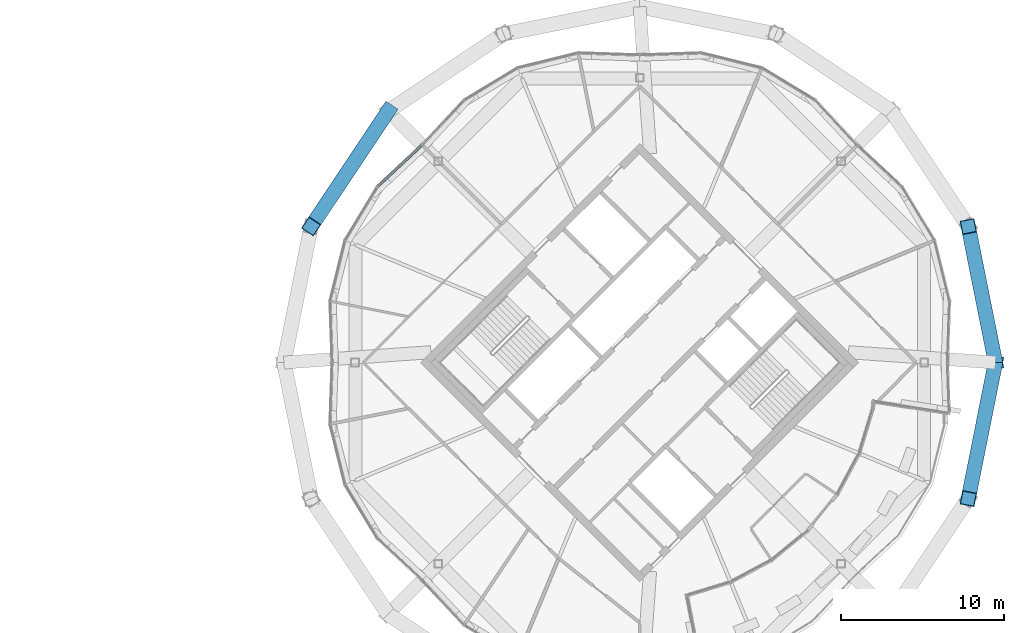
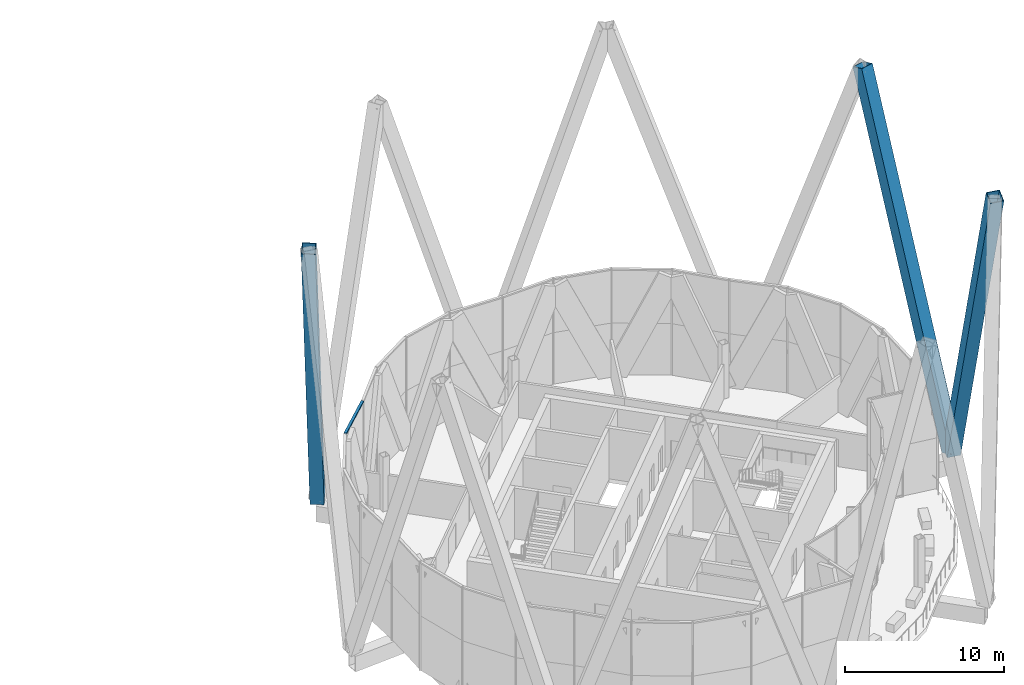
# One storey, part 21 of 38: 4 members, 1 element without a shape of its own.
"""IFC4 building model written with IfcOpenShell, lengths in metres."""

from ifc_helpers import new_model, si_unit, direction, frame, origin, origin_2d, place, context, subcontext, project, spatial, rectangle, hollow_rectangle, extrude, material, material_profile, profile_set, type_object, element, aggregate, save


model = new_model("IFC4")

# Units and contexts
model_context = context("Model", 3, precision=1e-05, world=origin(), true_north=direction((0.0, 1.0)))
body_context = subcontext(model_context, "Body", "Model", "MODEL_VIEW")
ifc_project = project(units=[si_unit("LENGTHUNIT", "METRE"), si_unit("AREAUNIT", "SQUARE_METRE"), si_unit("VOLUMEUNIT", "CUBIC_METRE"), si_unit("PLANEANGLEUNIT", "RADIAN"), si_unit("MASSUNIT", "GRAM", prefix="KILO")], contexts=[model_context])

# Site, building, storey
site_placement = place(None, origin())
site = spatial("IfcSite", under=ifc_project, at=site_placement, CompositionType="ELEMENT")
building_placement = place(site_placement, origin())
building = spatial("IfcBuilding", under=site, at=building_placement, Name="Ogive Gate Towers", CompositionType="ELEMENT")
storey_placement = place(building_placement, frame((0.0, 0.0, 268.800048828125)))
storey = spatial("IfcBuildingStorey", under=building, at=storey_placement, Name="L63", CompositionType="ELEMENT", Elevation=268.800048828125)

# Members
ifc_material_1 = material(Name="Steel SM460", Category="steel")
ifc_material_profile_1 = material_profile(ifc_material_1, hollow_rectangle(XDim=0.89990234375, YDim=0.89990234375, WallThickness=0.0400390625, at=origin_2d()), Name="BX 900x900x40")
ifc_profile_set_1 = profile_set([ifc_material_profile_1], Name="Steel SM460")
member_type_1 = type_object("IfcMemberType", Name="Diagrid diagonal BX 900x900x40", PredefinedType="BRACE", material=ifc_profile_set_1)
for number, where, z_axis, x_axis, name in (
    (1, (57.81005859375, 0.0, 0.0), (-0.062591606684, -0.313729069492, 0.947447287045), (0.980673264271, -0.195652622636, 0.0), "T2/L63/SDG001"),
    (2, (57.81005859375, 0.0, 0.0), (-0.062591606684, 0.313729069492, 0.947447287045), (-0.980673264271, -0.195652622636, 0.0), "T2/L63/SDG002"),
    (3, (20.577880859375, 15.422119140625, 0.0), (-0.177577062234, -0.266099402159, 0.947447885184), (0.831794180755, -0.555084174574, 0.0), "T2/L63/SDG008"),
):
    element("IfcMember", number, at=place(storey_placement, frame(where, z_axis=z_axis, x_axis=x_axis)), inside=storey, type_object=member_type_1, Name=name, PredefinedType="BRACE", context=body_context, shape_type="SweptSolid", body=[
        extrude(hollow_rectangle(XDim=0.89990234375, YDim=0.89990234375, WallThickness=0.0400390625, at=origin_2d()), origin(), (0.0, 0.0, 1.0), 26.59765625),
    ])

# Curtain wall, member
ifc_material_2 = material(Name="Pale metal aluminium", Category="aluminium")
curtain_wall_type = type_object("IfcCurtainWallType", Name="Tower unitised wall, high zone", PredefinedType="NOTDEFINED", material=ifc_material_2)
curtain_wall_placement = place(storey_placement, origin())
curtain_wall = element("IfcCurtainWall", 4, at=curtain_wall_placement, inside=storey, type_object=curtain_wall_type, Name="CW2 T2 ECW06", PredefinedType="NOTDEFINED")
ifc_material_profile_2 = material_profile(ifc_material_2, rectangle(XDim=0.179931640625, YDim=0.10009765625, at=origin_2d()), Name="100 x 180 aluminium box")
ifc_profile_set_2 = profile_set([ifc_material_profile_2], Name="Pale metal aluminium")
member_type_2 = type_object("IfcMemberType", Name="Tower unitised wall, high zone transom 100 x 180", PredefinedType="USERDEFINED", material=ifc_profile_set_2)
member_placement = place(storey_placement, frame((19.922607421875, 10.791748046875, 8.050048828125), z_axis=(0.731099032863, 0.682271356681, 0.0), x_axis=(-0.682271356681, 0.731099032863, 0.0)))
member = element("IfcMember", 5, at=member_placement, type_object=member_type_2, Name="CW2 transom", ObjectType="TRANSOM", PredefinedType="USERDEFINED", context=body_context, shape_type="SweptSolid", body=[
    extrude(rectangle(XDim=0.179931640625, YDim=0.10009765625, at=origin_2d()), origin(), (0.0, 0.0, 1.0), 3.7099609375),
])
aggregate(curtain_wall, [member])

save(model, "model.ifc")
